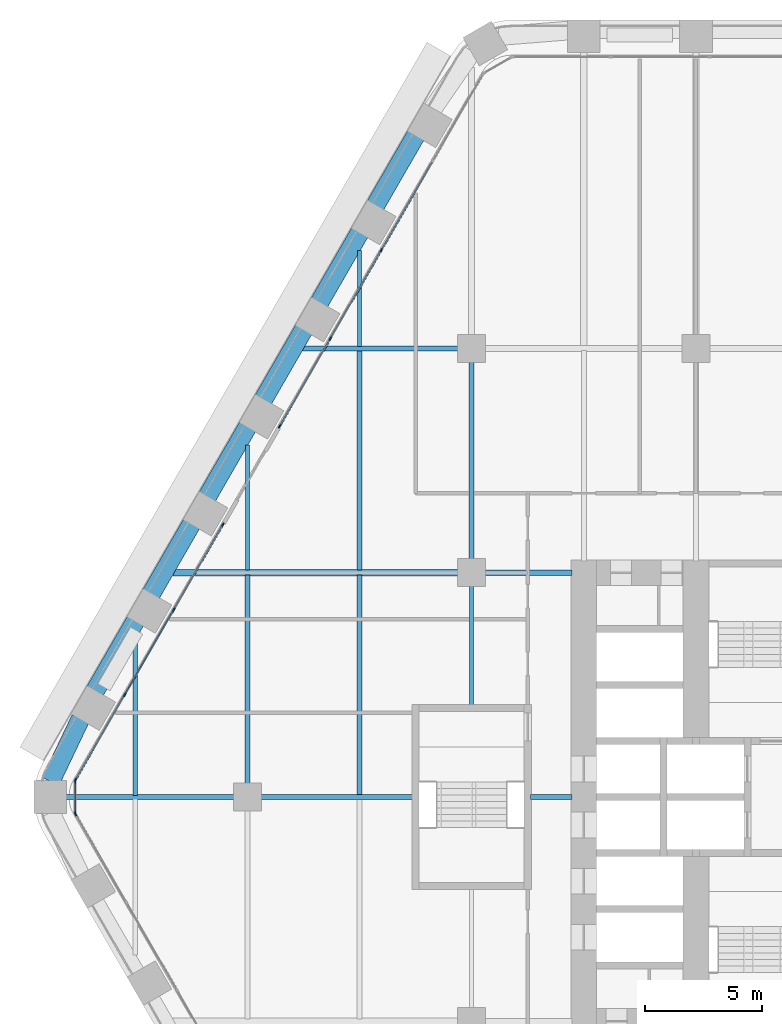
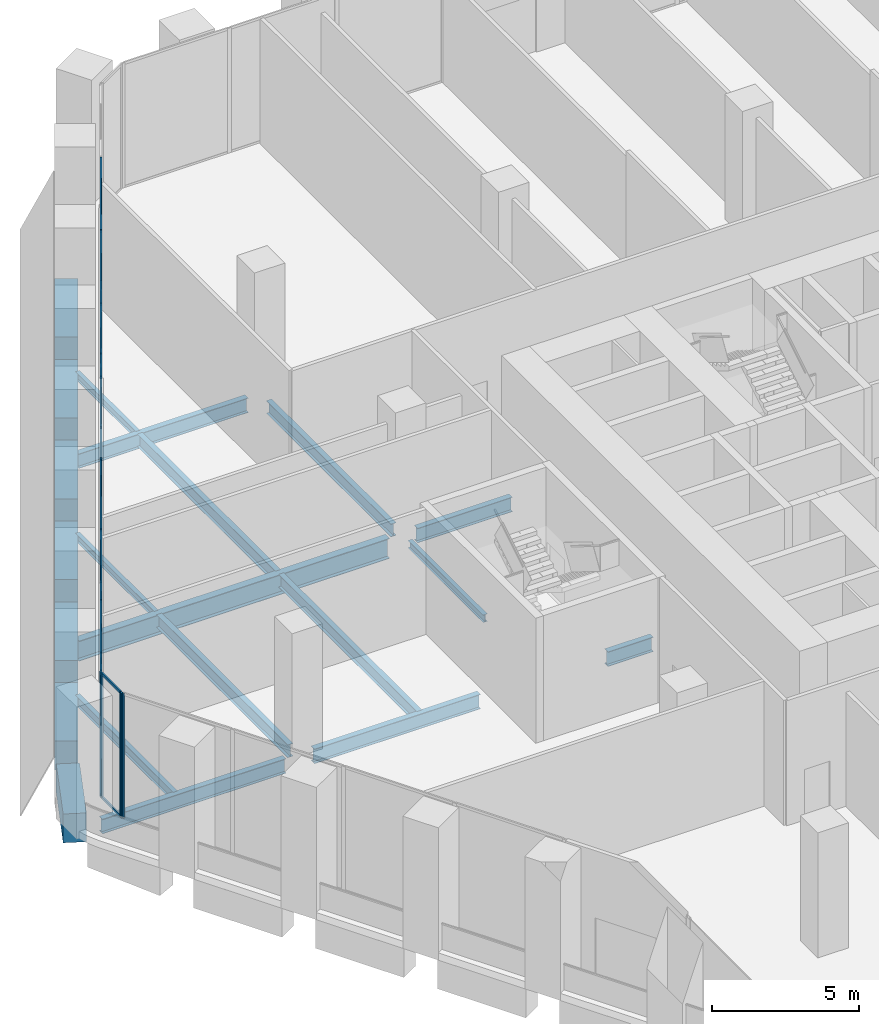
# One storey, part 7 of 27: 24 members, 21 beams, 4 elements without a shape of their own.
"""IFC4 building model written with IfcOpenShell, lengths in metres."""

import ifcopenshell
import ifcopenshell.guid

model = None  # the IFC model being written
_history = None  # IfcOwnerHistory: only IFC2X3 demands one
_inside = {}  # id of a spatial element -> (the spatial element, [elements in it])
_under = {}  # id of a project, library or spatial element -> (it, [spatial elements below it])
_declared = {}  # id of a project -> (the project, [libraries it declares])
_typed = {}  # id of a type object -> (the type object, [elements of that type])
_made_of = {}  # id of a material, layer set ... -> (it, [elements and type objects made of it])


def new_model(schema):
    """Start an empty IFC model of exactly this schema.

    Asked for "IFC4X3", IfcOpenShell would pick the latest addendum, in which some entities
    have other attributes; the version numbers below select the first issue.
    IFC2X3 requires an IfcOwnerHistory on every rooted entity: one is made here for all.
    """
    global model, _history
    if schema == "IFC4X3":
        model = ifcopenshell.file(schema_version=(4, 3, 0, 0))
    else:
        model = ifcopenshell.file(schema=schema)
    _inside.clear()
    _under.clear()
    _declared.clear()
    _typed.clear()
    _made_of.clear()
    _history = None
    if model.schema == "IFC2X3":
        org = make("IfcOrganization", Name="unknown")
        user = make(
            "IfcPersonAndOrganization",
            ThePerson=make("IfcPerson", FamilyName="unknown"),
            TheOrganization=org,
        )
        app = make(
            "IfcApplication",
            ApplicationDeveloper=org,
            Version="unknown",
            ApplicationFullName="unknown",
            ApplicationIdentifier="unknown",
        )
        _history = make(
            "IfcOwnerHistory",
            OwningUser=user,
            OwningApplication=app,
            ChangeAction="ADDED",
            CreationDate=0,
        )
    return model


def make(cls, **values):
    """One entity of the class cls with the attributes given. An attribute that is None is left unset."""
    return model.create_entity(
        cls, **{name: value for name, value in values.items() if value is not None}
    )


def rooted(cls, **values):
    """An entity with a GlobalId (a new one), such as an element, a storey or a relation."""
    return make(cls, GlobalId=ifcopenshell.guid.new(), OwnerHistory=_history, **values)


def si_unit(unit_type, name, prefix=None):
    """IfcSIUnit, for example si_unit("LENGTHUNIT", "METRE", prefix="MILLI")."""
    return make("IfcSIUnit", UnitType=unit_type, Prefix=prefix, Name=name)


def assignment(units):
    """IfcUnitAssignment: the units of a project."""
    return None if units is None else make("IfcUnitAssignment", Units=units)


def point(xyz):
    """IfcCartesianPoint."""
    return None if xyz is None else make("IfcCartesianPoint", Coordinates=xyz)


def direction(xyz):
    """IfcDirection."""
    return None if xyz is None else make("IfcDirection", DirectionRatios=xyz)


def frame(location, z_axis=None, x_axis=None):
    """IfcAxis2Placement3D, a coordinate frame: its origin and axes. An axis left out is left unset."""
    return make(
        "IfcAxis2Placement3D",
        Location=point(location),
        Axis=direction(z_axis),
        RefDirection=direction(x_axis),
    )


def frame_2d(location, x_axis=None):
    """IfcAxis2Placement2D, a coordinate frame in the plane: its origin and x axis."""
    return make(
        "IfcAxis2Placement2D", Location=point(location), RefDirection=direction(x_axis)
    )


def origin():
    """The frame at (0, 0, 0) with its axes left unset."""
    return frame((0.0, 0.0, 0.0))


def origin_2d():
    """The frame at (0, 0) in the plane with its x axis left unset."""
    return frame_2d((0.0, 0.0))


def place(relative_to, where):
    """IfcLocalPlacement: puts the frame where relative to a parent placement (None: the world)."""
    return make(
        "IfcLocalPlacement", PlacementRelTo=relative_to, RelativePlacement=where
    )


def context(
    kind, dimensions, precision=None, world=None, true_north=None, identifier=None
):
    """IfcGeometricRepresentationContext, for example the 3D "Model" context."""
    return make(
        "IfcGeometricRepresentationContext",
        ContextIdentifier=identifier,
        ContextType=kind,
        CoordinateSpaceDimension=dimensions,
        Precision=precision,
        WorldCoordinateSystem=world,
        TrueNorth=true_north,
    )


def subcontext(parent, identifier, kind, view, scale=None):
    """IfcGeometricRepresentationSubContext, for example "Body" below "Model"."""
    return make(
        "IfcGeometricRepresentationSubContext",
        ContextIdentifier=identifier,
        ContextType=kind,
        ParentContext=parent,
        TargetScale=scale,
        TargetView=view,
    )


def project(units=None, contexts=None):
    """IfcProject with its units and contexts."""
    return rooted(
        "IfcProject",
        Name="project",
        RepresentationContexts=contexts,
        UnitsInContext=assignment(units),
    )


def spatial(cls, under=None, at=None, **own):
    """A site, building, storey or space (cls), placed at a placement, below another one or the project."""
    s = rooted(cls, ObjectPlacement=at, **own)
    if under is not None:
        _under.setdefault(under.id(), (under, []))[1].append(s)
    return s


def profile(cls, at=None, kind="AREA", **sizes):
    """A parametric profile (cls). Its sizes go by their IFC names, for example OverallWidth=200.0."""
    return make(cls, ProfileType=kind, Position=at, **sizes)


def rectangle(**sizes):
    """IfcRectangleProfileDef."""
    return profile("IfcRectangleProfileDef", **sizes)


def i_section(**sizes):
    """IfcIShapeProfileDef."""
    return profile("IfcIShapeProfileDef", **sizes)


def extrude(swept, where, along, depth):
    """IfcExtrudedAreaSolid: the profile swept, set in the frame where, extruded along a direction by depth."""
    return make(
        "IfcExtrudedAreaSolid",
        SweptArea=swept,
        Position=where,
        ExtrudedDirection=direction(along),
        Depth=depth,
    )


def shape(context_of_items, identifier, shape_type, items):
    """IfcShapeRepresentation: the items that make up one representation, for example the "Body"."""
    return make(
        "IfcShapeRepresentation",
        ContextOfItems=context_of_items,
        RepresentationIdentifier=identifier,
        RepresentationType=shape_type,
        Items=items,
    )


def material(Name=None, Category=None):
    """IfcMaterial."""
    return make("IfcMaterial", Name=Name, Category=Category)


def material_profile(
    of_material, cross_section, Name=None, Category=None, Priority=None
):
    """IfcMaterialProfile: a cross section and its material."""
    return make(
        "IfcMaterialProfile",
        Name=Name,
        Material=of_material,
        Profile=cross_section,
        Priority=Priority,
        Category=Category,
    )


def profile_set(profiles, Name=None, composite=None):
    """IfcMaterialProfileSet."""
    return make(
        "IfcMaterialProfileSet",
        Name=Name,
        MaterialProfiles=profiles,
        CompositeProfile=composite,
    )


def made_of(thing, what):
    """Note that an element or type object is made of a material, layer set ...; save() writes the relation."""
    if what is not None:
        _made_of.setdefault(what.id(), (what, []))[1].append(thing)
    return thing


def type_object(cls, material=None, **own):
    """A type object (cls), such as IfcWallType, which elements share."""
    return made_of(rooted(cls, **own), material)


def element(
    cls,
    number,
    at=None,
    inside=None,
    cuts=None,
    type_object=None,
    material=None,
    context=None,
    identifier="Body",
    shape_type=None,
    held_by="IfcProductDefinitionShape",
    body=None,
    shapes=None,
    **own,
):
    """One element of the class cls, such as IfcWall. Its Tag is "e" and its number.

    at: its placement. inside: the storey or other place that contains it. cuts: it is an
    opening in that element (IfcRelVoidsElement). A single representation is given by context,
    identifier, shape_type and body (its items); several are given by shapes. held_by: the class
    of the entity that holds the representations. save() writes the other relations.
    """
    e = rooted(cls, Tag="e%d" % number, ObjectPlacement=at, **own)
    if body is not None:
        shapes = [shape(context, identifier, shape_type, body)]
    if shapes is not None:
        e.Representation = make(held_by, Representations=shapes)
    if inside is not None:
        _inside.setdefault(inside.id(), (inside, []))[1].append(e)
    if cuts is not None:
        rooted(
            "IfcRelVoidsElement", RelatingBuildingElement=cuts, RelatedOpeningElement=e
        )
    if type_object is not None:
        _typed.setdefault(type_object.id(), (type_object, []))[1].append(e)
    return made_of(e, material)


def aggregate(whole, parts):
    """IfcRelAggregates: a whole, such as a stair, and the parts it consists of."""
    return rooted("IfcRelAggregates", RelatingObject=whole, RelatedObjects=parts)


def save(model, path):
    """Write the relations noted so far, then the file.

    IfcRelAggregates (storeys below a building ...), IfcRelContainedInSpatialStructure (elements
    in a storey), IfcRelDefinesByType, IfcRelAssociatesMaterial and IfcRelDeclares: one each for
    every whole, place, type object, material and project.
    """
    for whole, parts in _under.values():
        aggregate(whole, parts)
    for where, things in _inside.values():
        rooted(
            "IfcRelContainedInSpatialStructure",
            RelatedElements=things,
            RelatingStructure=where,
        )
    for kind, things in _typed.values():
        rooted("IfcRelDefinesByType", RelatedObjects=things, RelatingType=kind)
    for what, things in _made_of.values():
        rooted("IfcRelAssociatesMaterial", RelatedObjects=things, RelatingMaterial=what)
    for by, libraries in _declared.values():
        rooted("IfcRelDeclares", RelatingContext=by, RelatedDefinitions=libraries)
    model.write(path)


model = new_model("IFC4")

# Units and contexts
model_context = context("Model", 3, precision=1e-05, world=origin(), true_north=direction((0.0, 1.0)))
body_context = subcontext(model_context, "Body", "Model", "MODEL_VIEW")
ifc_project = project(units=[si_unit("LENGTHUNIT", "METRE"), si_unit("AREAUNIT", "SQUARE_METRE"), si_unit("VOLUMEUNIT", "CUBIC_METRE"), si_unit("PLANEANGLEUNIT", "RADIAN"), si_unit("MASSUNIT", "GRAM", prefix="KILO")], contexts=[model_context])

# Site, building, storey
site_placement = place(None, origin())
site = spatial("IfcSite", under=ifc_project, at=site_placement, CompositionType="ELEMENT")
building_placement = place(site_placement, origin())
building = spatial("IfcBuilding", under=site, at=building_placement, Name="Kolab Exchange Tower", CompositionType="ELEMENT")
storey_placement = place(building_placement, frame((0.0, 0.0, 66.39990234375)))
storey = spatial("IfcBuildingStorey", under=building, at=storey_placement, Name="L12", CompositionType="ELEMENT", Elevation=66.39990234375)

# Beams
ifc_material_1 = material(Name="Steel S355", Category="steel")
ifc_material_profile_1 = material_profile(ifc_material_1, i_section(OverallWidth=0.1650390625, OverallDepth=0.31005859375, WebThickness=0.005859375, FlangeThickness=0.009765625, at=origin_2d()), Name="W310X39")
ifc_profile_set_1 = profile_set([ifc_material_profile_1], Name="Steel S355")
beam_type_1 = type_object("IfcBeamType", Name="FLOOR BEAM W310X39", PredefinedType="BEAM", material=ifc_profile_set_1)
beam_1_placement = place(storey_placement, frame((-28.800048828125, 9.7060546875, -0.454833984375), z_axis=(0.0, 1.0, 0.0), x_axis=(-1.0, 0.0, 0.0)))
element("IfcBeam", 1, at=beam_1_placement, inside=storey, type_object=beam_type_1, Name="beam/L12/fr/005", PredefinedType="BEAM", context=body_context, shape_type="SweptSolid", body=[
    extrude(i_section(OverallWidth=0.1650390625, OverallDepth=0.31005859375, WebThickness=0.005859375, FlangeThickness=0.009765625, at=origin_2d()), origin(), (0.0, 0.0, 1.0), 5.361572265625),
])
beam_2_placement = place(storey_placement, frame((-24.0, 19.27392578125, -0.454833984375), z_axis=(0.0, 1.0, 0.0), x_axis=(-1.0, 0.0, 0.0)))
element("IfcBeam", 2, at=beam_2_placement, inside=storey, type_object=beam_type_1, Name="beam/L12/fr/011", PredefinedType="BEAM", context=body_context, shape_type="SweptSolid", body=[
    extrude(i_section(OverallWidth=0.1650390625, OverallDepth=0.31005859375, WebThickness=0.005859375, FlangeThickness=0.009765625, at=origin_2d()), origin(), (0.0, 0.0, 1.0), 4.107666015625),
])
beam_3_placement = place(storey_placement, frame((-19.199951171875, 3.909912109375, -0.454833984375), z_axis=(0.0, 1.0, 0.0), x_axis=(-1.0, 0.0, 0.0)))
element("IfcBeam", 3, at=beam_3_placement, inside=storey, type_object=beam_type_1, Name="beam/L12/fr/015", PredefinedType="BEAM", context=body_context, shape_type="SweptSolid", body=[
    extrude(i_section(OverallWidth=0.1650390625, OverallDepth=0.31005859375, WebThickness=0.005859375, FlangeThickness=0.009765625, at=origin_2d()), origin(), (0.0, 0.0, 1.0), 5.130126953125),
])
ifc_material_profile_2 = material_profile(ifc_material_1, i_section(OverallWidth=0.177978515625, OverallDepth=0.406982421875, WebThickness=0.0078125, FlangeThickness=0.0126953125, at=origin_2d()), Name="W410X60")
ifc_profile_set_2 = profile_set([ifc_material_profile_2], Name="Steel S355")
beam_type_2 = type_object("IfcBeamType", Name="FLOOR BEAM W410X60", PredefinedType="BEAM", material=ifc_profile_set_2)
beam_4_placement = place(storey_placement, frame((-33.60009765625, 0.073974609375, -0.50341796875), z_axis=(0.0, 1.0, 0.0), x_axis=(-1.0, 0.0, 0.0)))
element("IfcBeam", 4, at=beam_4_placement, inside=storey, type_object=beam_type_2, Name="beam/L12/fr/001", PredefinedType="BEAM", context=body_context, shape_type="SweptSolid", body=[
    extrude(i_section(OverallWidth=0.177978515625, OverallDepth=0.406982421875, WebThickness=0.0078125, FlangeThickness=0.0126953125, at=origin_2d()), origin(), (0.0, 0.0, 1.0), 6.679931640625),
])
ifc_material_profile_3 = material_profile(ifc_material_1, i_section(OverallWidth=0.208984375, OverallDepth=0.532958984375, WebThickness=0.01025390625, FlangeThickness=0.015625, at=origin_2d()), Name="W530X92")
ifc_profile_set_3 = profile_set([ifc_material_profile_3], Name="Steel S355")
beam_type_3 = type_object("IfcBeamType", Name="FLOOR BEAM W530X92", PredefinedType="BEAM", material=ifc_profile_set_3)
beam_5_placement = place(storey_placement, frame((-28.800048828125, 0.56005859375, -0.56640625), z_axis=(0.0, 1.0, 0.0), x_axis=(-1.0, 0.0, 0.0)))
element("IfcBeam", 5, at=beam_5_placement, inside=storey, type_object=beam_type_3, Name="beam/L12/fr/004", PredefinedType="BEAM", context=body_context, shape_type="SweptSolid", body=[
    extrude(i_section(OverallWidth=0.208984375, OverallDepth=0.532958984375, WebThickness=0.01025390625, FlangeThickness=0.015625, at=origin_2d()), origin(), (0.0, 0.0, 1.0), 8.933837890625),
])
for number, where, z_axis, x_axis, name in (
    (6, (-24.0, 0.073974609375, -0.56640625), (0.0, 1.0, 0.0), (-1.0, 0.0, 0.0), "beam/L12/fr/009"),
    (7, (-24.0, 9.7060546875, -0.56640625), (0.0, 1.0, 0.0), (-1.0, 0.0, 0.0), "beam/L12/fr/010"),
):
    element("IfcBeam", number, at=place(storey_placement, frame(where, z_axis=z_axis, x_axis=x_axis)), inside=storey, type_object=beam_type_3, Name=name, PredefinedType="BEAM", context=body_context, shape_type="SweptSolid", body=[
        extrude(i_section(OverallWidth=0.208984375, OverallDepth=0.532958984375, WebThickness=0.01025390625, FlangeThickness=0.015625, at=origin_2d()), origin(), (0.0, 0.0, 1.0), 9.419921875),
    ])
beam_6_placement = place(storey_placement, frame((-19.199951171875, 10.159912109375, -0.56640625), z_axis=(0.0, 1.0, 0.0), x_axis=(-1.0, 0.0, 0.0)))
element("IfcBeam", 8, at=beam_6_placement, inside=storey, type_object=beam_type_3, Name="beam/L12/fr/016", PredefinedType="BEAM", context=body_context, shape_type="SweptSolid", body=[
    extrude(i_section(OverallWidth=0.208984375, OverallDepth=0.532958984375, WebThickness=0.01025390625, FlangeThickness=0.015625, at=origin_2d()), origin(), (0.0, 0.0, 1.0), 8.47998046875),
])
ifc_material_profile_4 = material_profile(ifc_material_1, i_section(OverallWidth=0.22802734375, OverallDepth=0.60791015625, WebThickness=0.01123046875, FlangeThickness=0.017333984375, at=origin_2d()), Name="W610X113")
ifc_profile_set_4 = profile_set([ifc_material_profile_4], Name="Steel S355")
beam_type_4 = type_object("IfcBeamType", Name="FLOOR GIRDER W610X113", PredefinedType="BEAM", material=ifc_profile_set_4)
beam_7_placement = place(storey_placement, frame((-36.575927734375, 0.0, -0.60400390625), z_axis=(1.0, 0.0, 0.0), x_axis=(0.0, 1.0, 0.0)))
element("IfcBeam", 9, at=beam_7_placement, inside=storey, type_object=beam_type_4, Name="beam/L12/gd/000", PredefinedType="BEAM", context=body_context, shape_type="SweptSolid", body=[
    extrude(i_section(OverallWidth=0.22802734375, OverallDepth=0.60791015625, WebThickness=0.01123046875, FlangeThickness=0.017333984375, at=origin_2d()), origin(), (0.0, 0.0, 1.0), 7.2158203125),
])
beam_8_placement = place(storey_placement, frame((-28.239990234375, 0.0, -0.60400390625), z_axis=(1.0, 0.0, 0.0), x_axis=(0.0, 1.0, 0.0)))
element("IfcBeam", 10, at=beam_8_placement, inside=storey, type_object=beam_type_4, Name="beam/L12/gd/003", PredefinedType="BEAM", context=body_context, shape_type="SweptSolid", body=[
    extrude(i_section(OverallWidth=0.22802734375, OverallDepth=0.60791015625, WebThickness=0.01123046875, FlangeThickness=0.017333984375, at=origin_2d()), origin(), (0.0, 0.0, 1.0), 6.530029296875),
])
beam_9_placement = place(storey_placement, frame((-26.43115234375, 19.199951171875, -0.60400390625), z_axis=(1.0, 0.0, 0.0), x_axis=(0.0, 1.0, 0.0)))
element("IfcBeam", 11, at=beam_9_placement, inside=storey, type_object=beam_type_4, Name="beam/L12/gd/005", PredefinedType="BEAM", context=body_context, shape_type="SweptSolid", body=[
    extrude(i_section(OverallWidth=0.22802734375, OverallDepth=0.60791015625, WebThickness=0.01123046875, FlangeThickness=0.017333984375, at=origin_2d()), origin(), (0.0, 0.0, 1.0), 6.671142578125),
])
beam_10_placement = place(storey_placement, frame((-18.639892578125, 9.60009765625, -0.60400390625), z_axis=(1.0, 0.0, 0.0), x_axis=(0.0, 1.0, 0.0)))
element("IfcBeam", 12, at=beam_10_placement, inside=storey, type_object=beam_type_4, Name="beam/L12/gd/008", PredefinedType="BEAM", context=body_context, shape_type="SweptSolid", body=[
    extrude(i_section(OverallWidth=0.22802734375, OverallDepth=0.60791015625, WebThickness=0.01123046875, FlangeThickness=0.017333984375, at=origin_2d()), origin(), (0.0, 0.0, 1.0), 3.72998046875),
])
beam_11_placement = place(storey_placement, frame((-16.68994140625, 0.0, -0.60400390625), z_axis=(1.0, 0.0, 0.0), x_axis=(0.0, 1.0, 0.0)))
element("IfcBeam", 13, at=beam_11_placement, inside=storey, type_object=beam_type_4, Name="beam/L12/gd/010", PredefinedType="BEAM", context=body_context, shape_type="SweptSolid", body=[
    extrude(i_section(OverallWidth=0.22802734375, OverallDepth=0.60791015625, WebThickness=0.01123046875, FlangeThickness=0.017333984375, at=origin_2d()), origin(), (0.0, 0.0, 1.0), 1.780029296875),
])
ifc_material_profile_5 = material_profile(ifc_material_1, i_section(OverallWidth=0.2919921875, OverallDepth=0.840087890625, WebThickness=0.0146484375, FlangeThickness=0.021728515625, at=origin_2d()), Name="W840X193")
ifc_profile_set_5 = profile_set([ifc_material_profile_5], Name="Steel S355")
beam_type_5 = type_object("IfcBeamType", Name="FLOOR GIRDER W840X193", PredefinedType="BEAM", material=ifc_profile_set_5)
beam_12_placement = place(storey_placement, frame((-31.9736328125, 9.60009765625, -0.719970703125), z_axis=(1.0, 0.0, 0.0), x_axis=(0.0, 1.0, 0.0)))
element("IfcBeam", 14, at=beam_12_placement, inside=storey, type_object=beam_type_5, Name="beam/L12/gd/002", PredefinedType="BEAM", context=body_context, shape_type="SweptSolid", body=[
    extrude(i_section(OverallWidth=0.2919921875, OverallDepth=0.840087890625, WebThickness=0.0146484375, FlangeThickness=0.021728515625, at=origin_2d()), origin(), (0.0, 0.0, 1.0), 12.213623046875),
])
ifc_material_2 = material(Name="Concrete C80/95", Category="concrete")
ifc_material_profile_6 = material_profile(ifc_material_2, rectangle(XDim=0.800048828125, YDim=1.199951171875, at=origin_2d()), Name="RC800X1200")
ifc_profile_set_6 = profile_set([ifc_material_profile_6], Name="Concrete C80/95")
beam_type_6 = type_object("IfcBeamType", Name="SPANDREL BEAM 800X1200 C80/95", PredefinedType="BEAM", material=ifc_profile_set_6)
beam_13_placement = place(storey_placement, frame((-37.219970703125, 0.663818359375, -0.89990234375), z_axis=(0.429555669245, 0.903040379507, 0.0), x_axis=(-0.903040379507, 0.429555669245, 0.0)))
element("IfcBeam", 15, at=beam_13_placement, inside=storey, type_object=beam_type_6, Name="beam/L12/sp/F6-01", PredefinedType="BEAM", context=body_context, shape_type="SweptSolid", body=[
    extrude(rectangle(XDim=0.800048828125, YDim=1.199951171875, at=origin_2d()), origin(), (0.0, 0.0, 1.0), 2.984375),
])
beam_14_placement = place(storey_placement, frame((-35.323486328125, 4.528564453125, -0.89990234375), z_axis=(0.500009906705, 0.86601968407, 0.0), x_axis=(-0.86601968407, 0.500009906705, 0.0)))
element("IfcBeam", 16, at=beam_14_placement, inside=storey, type_object=beam_type_6, Name="beam/L12/sp/F6-02", PredefinedType="BEAM", context=body_context, shape_type="SweptSolid", body=[
    extrude(rectangle(XDim=0.800048828125, YDim=1.199951171875, at=origin_2d()), origin(), (0.0, 0.0, 1.0), 3.47998046875),
])
for number, where, z_axis, x_axis, name in (
    (17, (-32.923583984375, 8.685302734375, -0.89990234375), (0.499979528911, 0.866037222451, 0.0), (-0.866037222451, 0.499979528911, 0.0), "beam/L12/sp/F6-03"),
    (18, (-30.523681640625, 12.84228515625, -0.89990234375), (0.499979528911, 0.866037222451, 0.0), (-0.866037222451, 0.499979528911, 0.0), "beam/L12/sp/F6-04"),
):
    element("IfcBeam", number, at=place(storey_placement, frame(where, z_axis=z_axis, x_axis=x_axis)), inside=storey, type_object=beam_type_6, Name=name, PredefinedType="BEAM", context=body_context, shape_type="SweptSolid", body=[
        extrude(rectangle(XDim=0.800048828125, YDim=1.199951171875, at=origin_2d()), origin(), (0.0, 0.0, 1.0), 3.480224609375),
    ])
for number, where, z_axis, x_axis, name in (
    (19, (-28.12353515625, 16.999267578125, -0.89990234375), (0.500009906705, 0.86601968407, 0.0), (-0.86601968407, 0.500009906705, 0.0), "beam/L12/sp/F6-05"),
    (20, (-25.7236328125, 21.15625, -0.89990234375), (0.500009906705, 0.86601968407, 0.0), (-0.86601968407, 0.500009906705, 0.0), "beam/L12/sp/F6-06"),
):
    element("IfcBeam", number, at=place(storey_placement, frame(where, z_axis=z_axis, x_axis=x_axis)), inside=storey, type_object=beam_type_6, Name=name, PredefinedType="BEAM", context=body_context, shape_type="SweptSolid", body=[
        extrude(rectangle(XDim=0.800048828125, YDim=1.199951171875, at=origin_2d()), origin(), (0.0, 0.0, 1.0), 3.47998046875),
    ])
beam_15_placement = place(storey_placement, frame((-23.323486328125, 25.31298828125, -0.89990234375), z_axis=(0.499979528911, 0.866037222451, 0.0), x_axis=(-0.866037222451, 0.499979528911, 0.0)))
element("IfcBeam", 21, at=beam_15_placement, inside=storey, type_object=beam_type_6, Name="beam/L12/sp/F6-07", PredefinedType="BEAM", context=body_context, shape_type="SweptSolid", body=[
    extrude(rectangle(XDim=0.800048828125, YDim=1.199951171875, at=origin_2d()), origin(), (0.0, 0.0, 1.0), 3.480224609375),
])

# Curtain wall, member
ifc_material_3 = material(Name="Aluminium EN AW-6063 T6", Category="aluminium")
curtain_wall_type = type_object("IfcCurtainWallType", Name="UNITISED LOW ZONE CURTAIN WALL", PredefinedType="NOTDEFINED", material=ifc_material_3)
curtain_wall_1_placement = place(storey_placement, origin())
curtain_wall_1 = element("IfcCurtainWall", 22, at=curtain_wall_1_placement, inside=storey, type_object=curtain_wall_type, Name="cw/L12/F5-2", PredefinedType="NOTDEFINED")
ifc_material_profile_7 = material_profile(ifc_material_3, rectangle(XDim=0.06005859375, YDim=0.159912109375, at=origin_2d()), Name="RECT 60X160")
ifc_profile_set_7 = profile_set([ifc_material_profile_7], Name="Aluminium EN AW-6063 T6")
member_type_1 = type_object("IfcMemberType", Name="UNITISED LOW ZONE MULLION 60 X 160", PredefinedType="MULLION", material=ifc_profile_set_7)
member_1_placement = place(storey_placement, frame((-36.150634765625, -0.736083984375, 0.0), z_axis=(0.0, 0.0, 1.0), x_axis=(-0.866025422102, -0.499999968274, 0.0)))
member_1 = element("IfcMember", 23, at=member_1_placement, type_object=member_type_1, Name="CW1 mullion 5", PredefinedType="MULLION", context=body_context, shape_type="SweptSolid", body=[
    extrude(rectangle(XDim=0.06005859375, YDim=0.159912109375, at=origin_2d()), origin(), (0.0, 0.0, 1.0), 5.2001953125),
])
aggregate(curtain_wall_1, [member_1])

# Curtain wall, members
curtain_wall_2_placement = place(storey_placement, origin())
curtain_wall_2 = element("IfcCurtainWall", 24, at=curtain_wall_2_placement, inside=storey, type_object=curtain_wall_type, Name="cw/L12/F6-1", PredefinedType="NOTDEFINED")
member_2_placement = place(storey_placement, frame((-36.150634765625, 0.736083984375, 0.0), z_axis=(0.0, 0.0, 1.0), x_axis=(-0.866025427826, 0.499999958358, 0.0)))
member_2 = element("IfcMember", 25, at=member_2_placement, type_object=member_type_1, Name="CW1 mullion 1", PredefinedType="MULLION", context=body_context, shape_type="SweptSolid", body=[
    extrude(rectangle(XDim=0.06005859375, YDim=0.159912109375, at=origin_2d()), origin(), (0.0, 0.0, 1.0), 5.2001953125),
])
member_3_placement = place(storey_placement, frame((-34.054443359375, 4.366943359375, 0.0), z_axis=(0.0, 0.0, 1.0), x_axis=(-0.866025427826, 0.499999958358, 0.0)))
member_3 = element("IfcMember", 26, at=member_3_placement, type_object=member_type_1, Name="CW1 mullion 2", PredefinedType="MULLION", context=body_context, shape_type="SweptSolid", body=[
    extrude(rectangle(XDim=0.06005859375, YDim=0.159912109375, at=origin_2d()), origin(), (0.0, 0.0, 1.0), 5.2001953125),
])
member_4_placement = place(storey_placement, frame((-31.943115234375, 8.02392578125, 0.0), z_axis=(0.0, 0.0, 1.0), x_axis=(-0.866025427826, 0.499999958358, 0.0)))
member_4 = element("IfcMember", 27, at=member_4_placement, type_object=member_type_1, Name="CW1 mullion 3", PredefinedType="MULLION", context=body_context, shape_type="SweptSolid", body=[
    extrude(rectangle(XDim=0.06005859375, YDim=0.159912109375, at=origin_2d()), origin(), (0.0, 0.0, 1.0), 5.2001953125),
])
member_5_placement = place(storey_placement, frame((-29.8466796875, 11.65478515625, 0.0), z_axis=(0.0, 0.0, 1.0), x_axis=(-0.866025427826, 0.499999958358, 0.0)))
member_5 = element("IfcMember", 28, at=member_5_placement, type_object=member_type_1, Name="CW1 mullion 4", PredefinedType="MULLION", context=body_context, shape_type="SweptSolid", body=[
    extrude(rectangle(XDim=0.06005859375, YDim=0.159912109375, at=origin_2d()), origin(), (0.0, 0.0, 1.0), 5.2001953125),
])

curtain_wall_3_placement = place(storey_placement, origin())
curtain_wall_3 = element("IfcCurtainWall", 29, at=curtain_wall_3_placement, inside=storey, type_object=curtain_wall_type, Name="cw/L12/F6-2", PredefinedType="NOTDEFINED")
member_6_placement = place(storey_placement, frame((-27.416748046875, 15.86376953125, 0.0), z_axis=(0.0, 0.0, 1.0), x_axis=(-0.866025397318, 0.5000000112, 0.0)))
member_6 = element("IfcMember", 30, at=member_6_placement, type_object=member_type_1, Name="CW1 mullion 1", PredefinedType="MULLION", context=body_context, shape_type="SweptSolid", body=[
    extrude(rectangle(XDim=0.06005859375, YDim=0.159912109375, at=origin_2d()), origin(), (0.0, 0.0, 1.0), 5.2001953125),
])
member_7_placement = place(storey_placement, frame((-25.248291015625, 19.61962890625, 0.0), z_axis=(0.0, 0.0, 1.0), x_axis=(-0.866025397318, 0.5000000112, 0.0)))
member_7 = element("IfcMember", 31, at=member_7_placement, type_object=member_type_1, Name="CW1 mullion 2", PredefinedType="MULLION", context=body_context, shape_type="SweptSolid", body=[
    extrude(rectangle(XDim=0.06005859375, YDim=0.159912109375, at=origin_2d()), origin(), (0.0, 0.0, 1.0), 5.2001953125),
])
member_8_placement = place(storey_placement, frame((-23.064697265625, 23.401611328125, 0.0), z_axis=(0.0, 0.0, 1.0), x_axis=(-0.866025397318, 0.5000000112, 0.0)))
member_8 = element("IfcMember", 32, at=member_8_placement, type_object=member_type_1, Name="CW1 mullion 3", PredefinedType="MULLION", context=body_context, shape_type="SweptSolid", body=[
    extrude(rectangle(XDim=0.06005859375, YDim=0.159912109375, at=origin_2d()), origin(), (0.0, 0.0, 1.0), 5.2001953125),
])

curtain_wall_4_placement = place(storey_placement, origin())
curtain_wall_4 = element("IfcCurtainWall", 33, at=curtain_wall_4_placement, inside=storey, type_object=curtain_wall_type, Name="cw/L12/F5F6-corner", PredefinedType="NOTDEFINED")
member_9_placement = place(storey_placement, frame((-36.165771484375, -0.679931640625, 0.0), z_axis=(0.0, 0.0, 1.0), x_axis=(-1.0, 0.0, 0.0)))
member_9 = element("IfcMember", 34, at=member_9_placement, type_object=member_type_1, Name="CW1 mullion 1", PredefinedType="MULLION", context=body_context, shape_type="SweptSolid", body=[
    extrude(rectangle(XDim=0.06005859375, YDim=0.159912109375, at=origin_2d()), origin(), (0.0, 0.0, 1.0), 5.2001953125),
])
member_10_placement = place(storey_placement, frame((-36.165771484375, 0.679931640625, 0.0), z_axis=(0.0, 0.0, 1.0), x_axis=(-1.0, 0.0, 0.0)))
member_10 = element("IfcMember", 35, at=member_10_placement, type_object=member_type_1, Name="CW1 mullion 2", PredefinedType="MULLION", context=body_context, shape_type="SweptSolid", body=[
    extrude(rectangle(XDim=0.06005859375, YDim=0.159912109375, at=origin_2d()), origin(), (0.0, 0.0, 1.0), 5.2001953125),
])

# Member
ifc_material_profile_8 = material_profile(ifc_material_3, rectangle(XDim=0.06005859375, YDim=0.10009765625, at=origin_2d()), Name="RECT 60X100")
ifc_profile_set_8 = profile_set([ifc_material_profile_8], Name="Aluminium EN AW-6063 T6")
member_type_2 = type_object("IfcMemberType", Name="UNITISED LOW ZONE TRANSOM 60 X 100", PredefinedType="USERDEFINED", material=ifc_profile_set_8)
member_11_placement = place(storey_placement, frame((-36.1357421875, 0.761962890625, 0.030029296875), z_axis=(0.500027577057, 0.866009481578, 0.0), x_axis=(-0.866009481578, 0.500027577057, 0.0)))
member_11 = element("IfcMember", 36, at=member_11_placement, type_object=member_type_2, Name="CW1 transom 1.1", ObjectType="TRANSOM", PredefinedType="USERDEFINED", context=body_context, shape_type="SweptSolid", body=[
    extrude(rectangle(XDim=0.06005859375, YDim=0.10009765625, at=origin_2d()), origin(), (0.0, 0.0, 1.0), 4.132568359375),
])

member_12_placement = place(storey_placement, frame((-36.1357421875, 0.761962890625, 5.170166015625), z_axis=(0.500027577057, 0.866009481578, 0.0), x_axis=(-0.866009481578, 0.500027577057, 0.0)))
member_12 = element("IfcMember", 37, at=member_12_placement, type_object=member_type_2, Name="CW1 transom 1.2", ObjectType="TRANSOM", PredefinedType="USERDEFINED", context=body_context, shape_type="SweptSolid", body=[
    extrude(rectangle(XDim=0.06005859375, YDim=0.10009765625, at=origin_2d()), origin(), (0.0, 0.0, 1.0), 4.132568359375),
])

member_13_placement = place(storey_placement, frame((-34.039306640625, 4.392822265625, 0.030029296875), z_axis=(0.49999322259, 0.866029316688, 0.0), x_axis=(-0.866029316688, 0.49999322259, 0.0)))
member_13 = element("IfcMember", 38, at=member_13_placement, type_object=member_type_2, Name="CW1 transom 2.1", ObjectType="TRANSOM", PredefinedType="USERDEFINED", context=body_context, shape_type="SweptSolid", body=[
    extrude(rectangle(XDim=0.06005859375, YDim=0.10009765625, at=origin_2d()), origin(), (0.0, 0.0, 1.0), 4.16259765625),
])

member_14_placement = place(storey_placement, frame((-34.039306640625, 4.392822265625, 5.170166015625), z_axis=(0.49999322259, 0.866029316688, 0.0), x_axis=(-0.866029316688, 0.49999322259, 0.0)))
member_14 = element("IfcMember", 39, at=member_14_placement, type_object=member_type_2, Name="CW1 transom 2.2", ObjectType="TRANSOM", PredefinedType="USERDEFINED", context=body_context, shape_type="SweptSolid", body=[
    extrude(rectangle(XDim=0.06005859375, YDim=0.10009765625, at=origin_2d()), origin(), (0.0, 0.0, 1.0), 4.16259765625),
])

member_15_placement = place(storey_placement, frame((-31.927978515625, 8.0498046875, 0.030029296875), z_axis=(0.500001996123, 0.866024251319, 0.0), x_axis=(-0.866024251319, 0.500001996123, 0.0)))
member_15 = element("IfcMember", 40, at=member_15_placement, type_object=member_type_2, Name="CW1 transom 3.1", ObjectType="TRANSOM", PredefinedType="USERDEFINED", context=body_context, shape_type="SweptSolid", body=[
    extrude(rectangle(XDim=0.06005859375, YDim=0.10009765625, at=origin_2d()), origin(), (0.0, 0.0, 1.0), 4.1328125),
])

member_16_placement = place(storey_placement, frame((-31.927978515625, 8.0498046875, 5.170166015625), z_axis=(0.500001996123, 0.866024251319, 0.0), x_axis=(-0.866024251319, 0.500001996123, 0.0)))
member_16 = element("IfcMember", 41, at=member_16_placement, type_object=member_type_2, Name="CW1 transom 3.2", ObjectType="TRANSOM", PredefinedType="USERDEFINED", context=body_context, shape_type="SweptSolid", body=[
    extrude(rectangle(XDim=0.06005859375, YDim=0.10009765625, at=origin_2d()), origin(), (0.0, 0.0, 1.0), 4.1328125),
])

aggregate(curtain_wall_2, [member_2, member_3, member_4, member_5, member_11, member_12, member_13, member_14, member_15, member_16])

member_17_placement = place(storey_placement, frame((-27.401611328125, 15.8896484375, 0.030029296875), z_axis=(0.499976099074, 0.866039202551, 0.0), x_axis=(-0.866039202551, 0.499976099074, 0.0)))
member_17 = element("IfcMember", 42, at=member_17_placement, type_object=member_type_2, Name="CW1 transom 1.1", ObjectType="TRANSOM", PredefinedType="USERDEFINED", context=body_context, shape_type="SweptSolid", body=[
    extrude(rectangle(XDim=0.06005859375, YDim=0.10009765625, at=origin_2d()), origin(), (0.0, 0.0, 1.0), 4.277099609375),
])

member_18_placement = place(storey_placement, frame((-27.401611328125, 15.8896484375, 5.170166015625), z_axis=(0.499976099074, 0.866039202551, 0.0), x_axis=(-0.866039202551, 0.499976099074, 0.0)))
member_18 = element("IfcMember", 43, at=member_18_placement, type_object=member_type_2, Name="CW1 transom 1.2", ObjectType="TRANSOM", PredefinedType="USERDEFINED", context=body_context, shape_type="SweptSolid", body=[
    extrude(rectangle(XDim=0.06005859375, YDim=0.10009765625, at=origin_2d()), origin(), (0.0, 0.0, 1.0), 4.277099609375),
])

member_19_placement = place(storey_placement, frame((-25.233154296875, 19.6455078125, 0.030029296875), z_axis=(0.500010313095, 0.866019449435, 0.0), x_axis=(-0.866019449435, 0.500010313095, 0.0)))
member_19 = element("IfcMember", 44, at=member_19_placement, type_object=member_type_2, Name="CW1 transom 2.1", ObjectType="TRANSOM", PredefinedType="USERDEFINED", context=body_context, shape_type="SweptSolid", body=[
    extrude(rectangle(XDim=0.06005859375, YDim=0.10009765625, at=origin_2d()), origin(), (0.0, 0.0, 1.0), 4.30712890625),
])

member_20_placement = place(storey_placement, frame((-25.233154296875, 19.6455078125, 5.170166015625), z_axis=(0.500010313095, 0.866019449435, 0.0), x_axis=(-0.866019449435, 0.500010313095, 0.0)))
member_20 = element("IfcMember", 45, at=member_20_placement, type_object=member_type_2, Name="CW1 transom 2.2", ObjectType="TRANSOM", PredefinedType="USERDEFINED", context=body_context, shape_type="SweptSolid", body=[
    extrude(rectangle(XDim=0.06005859375, YDim=0.10009765625, at=origin_2d()), origin(), (0.0, 0.0, 1.0), 4.30712890625),
])

member_21_placement = place(storey_placement, frame((-23.0498046875, 23.427490234375, 0.030029296875), z_axis=(0.500010313095, 0.866019449435, 0.0), x_axis=(-0.866019449435, 0.500010313095, 0.0)))
member_21 = element("IfcMember", 46, at=member_21_placement, type_object=member_type_2, Name="CW1 transom 3.1", ObjectType="TRANSOM", PredefinedType="USERDEFINED", context=body_context, shape_type="SweptSolid", body=[
    extrude(rectangle(XDim=0.06005859375, YDim=0.10009765625, at=origin_2d()), origin(), (0.0, 0.0, 1.0), 4.30712890625),
])

member_22_placement = place(storey_placement, frame((-23.0498046875, 23.427490234375, 5.170166015625), z_axis=(0.500010313095, 0.866019449435, 0.0), x_axis=(-0.866019449435, 0.500010313095, 0.0)))
member_22 = element("IfcMember", 47, at=member_22_placement, type_object=member_type_2, Name="CW1 transom 3.2", ObjectType="TRANSOM", PredefinedType="USERDEFINED", context=body_context, shape_type="SweptSolid", body=[
    extrude(rectangle(XDim=0.06005859375, YDim=0.10009765625, at=origin_2d()), origin(), (0.0, 0.0, 1.0), 4.30712890625),
])

aggregate(curtain_wall_3, [member_6, member_7, member_8, member_17, member_18, member_19, member_20, member_21, member_22])

member_23_placement = place(storey_placement, frame((-36.165771484375, -0.64990234375, 0.030029296875), z_axis=(0.0, 1.0, 0.0), x_axis=(-1.0, 0.0, 0.0)))
member_23 = element("IfcMember", 48, at=member_23_placement, type_object=member_type_2, Name="CW1 transom 1.1", ObjectType="TRANSOM", PredefinedType="USERDEFINED", context=body_context, shape_type="SweptSolid", body=[
    extrude(rectangle(XDim=0.06005859375, YDim=0.10009765625, at=origin_2d()), origin(), (0.0, 0.0, 1.0), 1.2998046875),
])

member_24_placement = place(storey_placement, frame((-36.165771484375, -0.64990234375, 5.170166015625), z_axis=(0.0, 1.0, 0.0), x_axis=(-1.0, 0.0, 0.0)))
member_24 = element("IfcMember", 49, at=member_24_placement, type_object=member_type_2, Name="CW1 transom 1.2", ObjectType="TRANSOM", PredefinedType="USERDEFINED", context=body_context, shape_type="SweptSolid", body=[
    extrude(rectangle(XDim=0.06005859375, YDim=0.10009765625, at=origin_2d()), origin(), (0.0, 0.0, 1.0), 1.2998046875),
])

aggregate(curtain_wall_4, [member_9, member_10, member_23, member_24])

save(model, "model.ifc")
